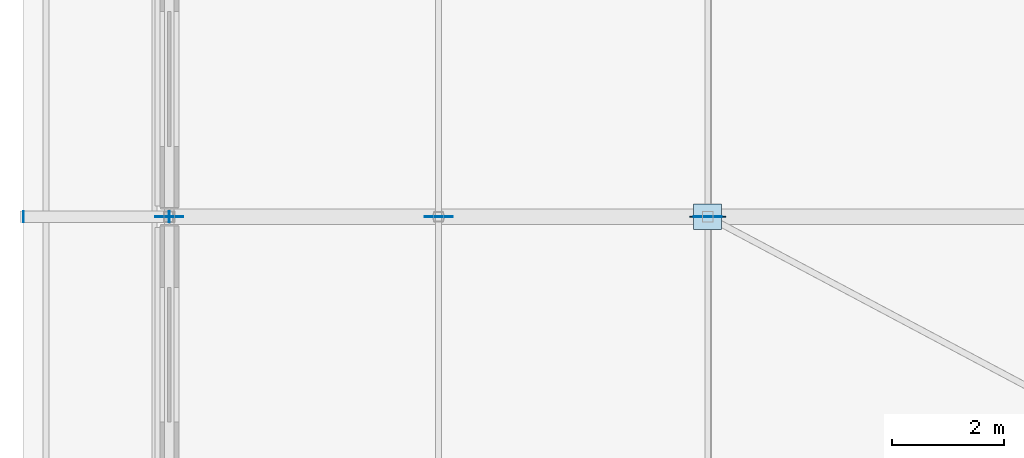
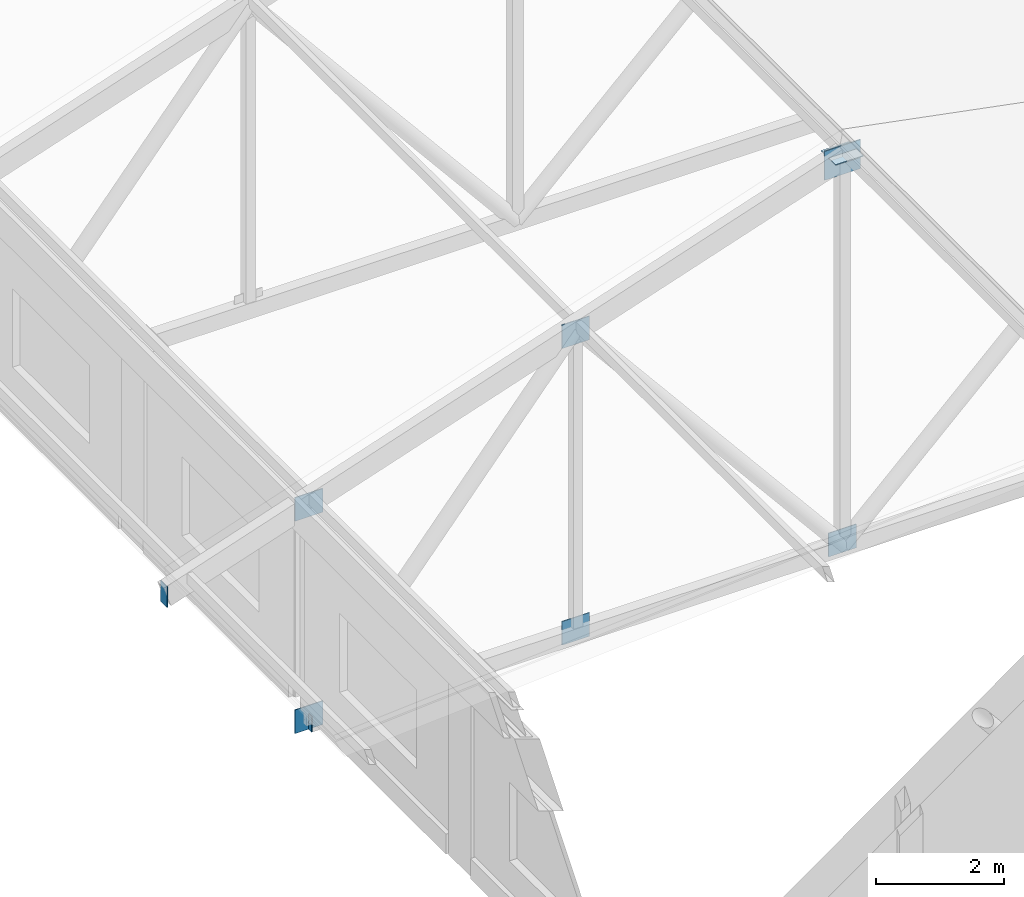
# One storey, part 144 of 200: 9 plates.
"""IFC4 building model written with IfcOpenShell, lengths in metres."""

from ifc_helpers import new_model, si_unit, direction, frame, origin, origin_2d, place, context, subcontext, project, spatial, rectangle, extrude, material, layer, layer_set, type_object, element, save


model = new_model("IFC4")

# Units and contexts
model_context = context("Model", 3, precision=1e-05, world=origin(), true_north=direction((0.0, 1.0)))
body_context = subcontext(model_context, "Body", "Model", "MODEL_VIEW")
ifc_project = project(units=[si_unit("LENGTHUNIT", "METRE"), si_unit("AREAUNIT", "SQUARE_METRE"), si_unit("VOLUMEUNIT", "CUBIC_METRE"), si_unit("PLANEANGLEUNIT", "RADIAN"), si_unit("MASSUNIT", "GRAM", prefix="KILO")], contexts=[model_context])

# Site, building, storey
site_placement = place(None, origin())
site = spatial("IfcSite", under=ifc_project, at=site_placement, CompositionType="ELEMENT")
building_placement = place(site_placement, origin())
building = spatial("IfcBuilding", under=site, at=building_placement, Name="Vondelvale Polytechnic", CompositionType="ELEMENT")
storey_placement = place(building_placement, frame((0.0, 0.0, 13.800048828125)))
storey = spatial("IfcBuildingStorey", under=building, at=storey_placement, Name="L03", CompositionType="ELEMENT", Elevation=13.800048828125)

# Plates
ifc_material = material(Name="Steel Grade 350 (fy = 340 MPa)", Category="steel")
ifc_layer_1 = layer(ifc_material, 0.01611328125)
ifc_layer_set_1 = layer_set([ifc_layer_1], Name="PLATE-CAP-300x200")
plate_type_1 = type_object("IfcPlateType", Name="PLATE-CAP-300x200", PredefinedType="USERDEFINED", material=ifc_layer_set_1)
plate_1_placement = place(storey_placement, frame((0.0, 61.199951171875, -0.5703125), z_axis=(0.0, 0.0, 1.0), x_axis=(1.0, 0.0, 0.0)))
element("IfcPlate", 1, at=plate_1_placement, inside=storey, type_object=plate_type_1, Name="ROOF TRUSS bottom chord cap plate W", ObjectType="CAP_PLATE", PredefinedType="USERDEFINED", context=body_context, shape_type="SweptSolid", body=[
    extrude(rectangle(XDim=0.01611328125, YDim=0.199951171875, at=origin_2d()), origin(), (0.0, 0.0, 1.0), 0.300048828125),
])
ifc_layer_2 = layer(ifc_material, 0.01611328125)
ifc_layer_set_2 = layer_set([ifc_layer_2], Name="PLATE-CAP-400x200")
plate_type_2 = type_object("IfcPlateType", Name="PLATE-CAP-400x200", PredefinedType="USERDEFINED", material=ifc_layer_set_2)
plate_2_placement = place(storey_placement, frame((-2.60009765625, 61.199951171875, 2.71337890625), z_axis=(0.0, 0.0, 1.0), x_axis=(1.0, 0.0, 0.0)))
element("IfcPlate", 2, at=plate_2_placement, inside=storey, type_object=plate_type_2, Name="ROOF TRUSS hollow end cap plate W", ObjectType="CAP_PLATE", PredefinedType="USERDEFINED", context=body_context, shape_type="SweptSolid", body=[
    extrude(rectangle(XDim=0.01611328125, YDim=0.199951171875, at=origin_2d()), origin(), (0.0, 0.0, 1.0), 0.39990234375),
])
ifc_layer_3 = layer(ifc_material, 0.01611328125)
ifc_layer_set_3 = layer_set([ifc_layer_3], Name="PLATE-GUSSET-16")
plate_type_3 = type_object("IfcPlateType", Name="PLATE-GUSSET-16", PredefinedType="USERDEFINED", material=ifc_layer_set_3)
for number, where, z_axis, x_axis, name in (
    (3, (0.0, 61.199951171875, 3.47509765625), (0.0, 0.0, 1.0), (1.0, 0.0, 0.0), "ROOF TRUSS top chord gusset node plate 0"),
    (4, (0.0, 61.199951171875, -0.56494140625), (0.0, 0.0, 1.0), (1.0, 0.0, 0.0), "ROOF TRUSS bottom chord gusset node plate 0"),
    (5, (4.800048828125, 61.199951171875, 5.0751953125), (0.0, 0.0, 1.0), (1.0, 0.0, 0.0), "ROOF TRUSS top chord gusset node plate 1"),
    (6, (4.800048828125, 61.199951171875, -0.56494140625), (0.0, 0.0, 1.0), (1.0, 0.0, 0.0), "ROOF TRUSS bottom chord gusset node plate 1"),
    (7, (9.60009765625, 61.199951171875, -0.56494140625), (0.0, 0.0, 1.0), (1.0, 0.0, 0.0), "ROOF TRUSS bottom chord gusset node plate 2"),
):
    element("IfcPlate", number, at=place(storey_placement, frame(where, z_axis=z_axis, x_axis=x_axis)), inside=storey, type_object=plate_type_3, Name=name, ObjectType="GUSSET_PLATE", PredefinedType="USERDEFINED", context=body_context, shape_type="SweptSolid", body=[
        extrude(rectangle(XDim=0.5, YDim=0.01611328125, at=origin_2d()), origin(), (0.0, 0.0, 1.0), 0.449951171875),
    ])
plate_3_placement = place(storey_placement, frame((9.60009765625, 61.199951171875, 7.011962890625), z_axis=(0.0, 0.0, 1.0), x_axis=(1.0, 0.0, 0.0)))
element("IfcPlate", 8, at=plate_3_placement, inside=storey, type_object=plate_type_3, Name="Workshop roof brace end gusset plate 1-4", ObjectType="GUSSET_PLATE", PredefinedType="USERDEFINED", context=body_context, shape_type="SweptSolid", body=[
    extrude(rectangle(XDim=0.5, YDim=0.449951171875, at=origin_2d()), origin(), (0.0, 0.0, 1.0), 0.01611328125),
])
ifc_layer_4 = layer(ifc_material, 0.02001953125)
ifc_layer_set_4 = layer_set([ifc_layer_4], Name="PLATE-GUSSET-20")
plate_type_4 = type_object("IfcPlateType", Name="PLATE-GUSSET-20", PredefinedType="USERDEFINED", material=ifc_layer_set_4)
plate_4_placement = place(storey_placement, frame((9.60009765625, 61.199951171875, 6.625), z_axis=(0.0, 0.0, 1.0), x_axis=(1.0, 0.0, 0.0)))
element("IfcPlate", 9, at=plate_4_placement, inside=storey, type_object=plate_type_4, Name="ROOF TRUSS top chord gusset node plate 2", ObjectType="GUSSET_PLATE", PredefinedType="USERDEFINED", context=body_context, shape_type="SweptSolid", body=[
    extrude(rectangle(XDim=0.64990234375, YDim=0.02001953125, at=origin_2d()), origin(), (0.0, 0.0, 1.0), 0.550048828125),
])

save(model, "model.ifc")
